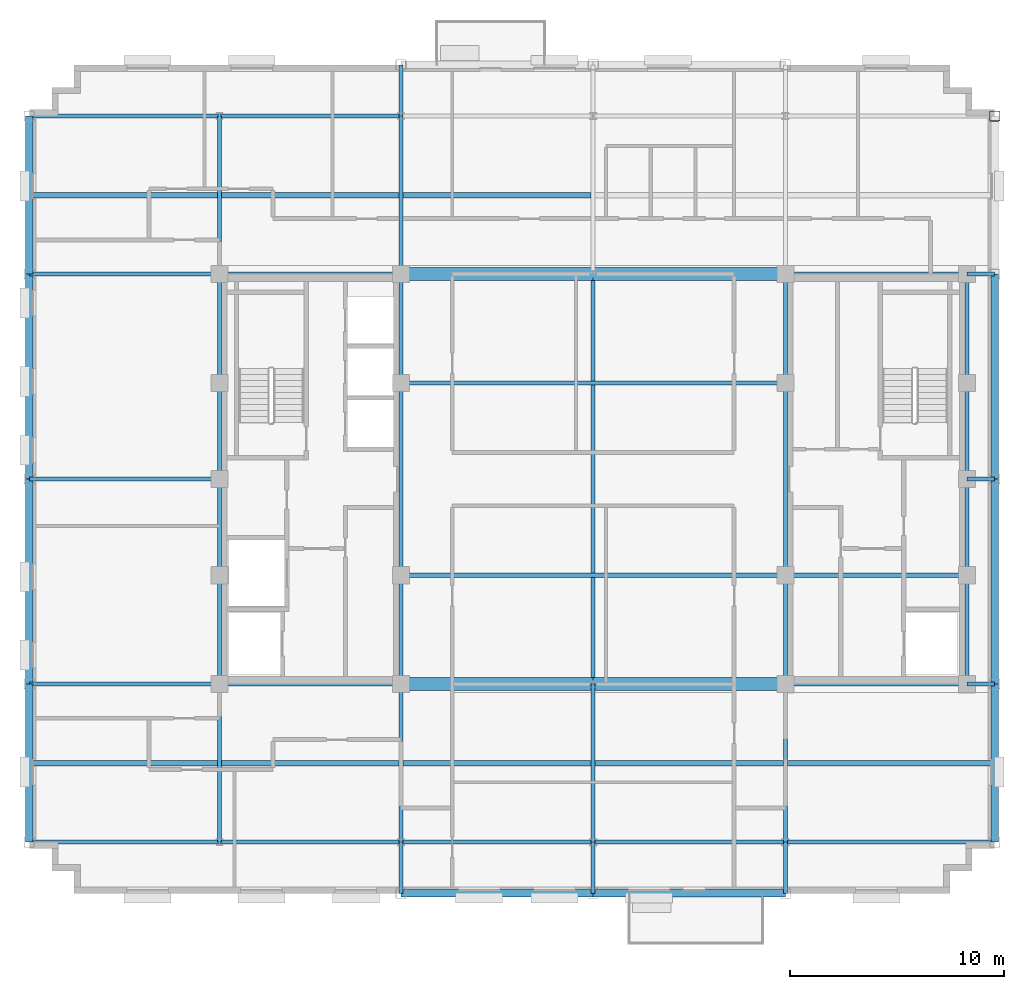
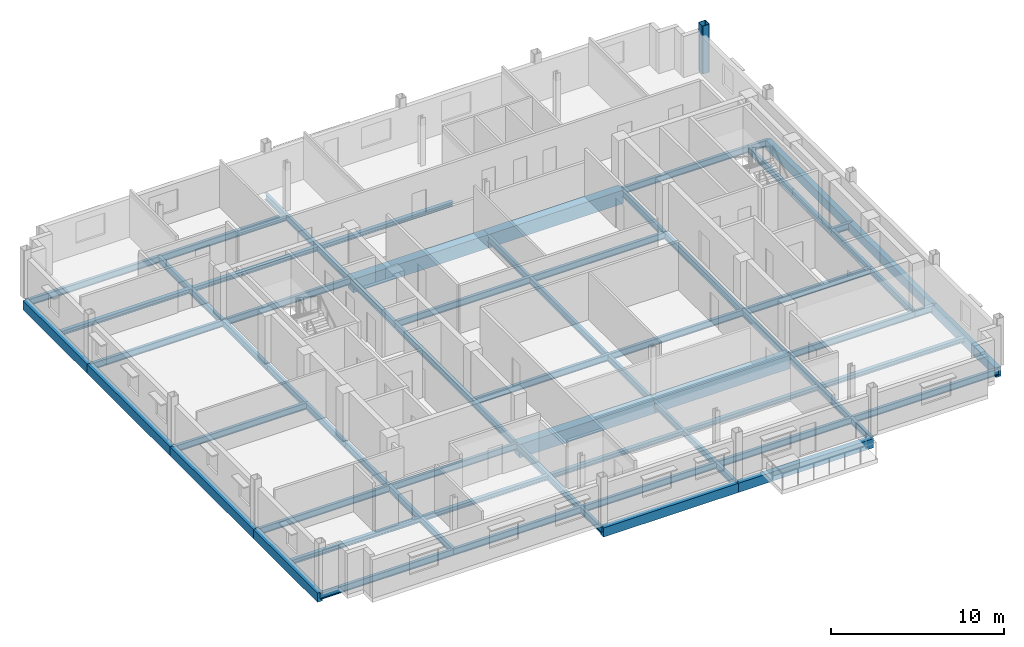
# One storey, part 4 of 13: 66 beams, 1 column.
"""IFC4 building model written with IfcOpenShell, lengths in metres."""

from ifc_helpers import new_model, si_unit, direction, frame, origin, origin_2d, place, context, subcontext, project, spatial, rectangle, hollow_rectangle, i_section, extrude, material, material_profile, profile_set, type_object, element, save


model = new_model("IFC4")

# Units and contexts
model_context = context("Model", 3, precision=1e-05, world=origin(), true_north=direction((0.0, 1.0)))
body_context = subcontext(model_context, "Body", "Model", "MODEL_VIEW")
ifc_project = project(units=[si_unit("LENGTHUNIT", "METRE"), si_unit("AREAUNIT", "SQUARE_METRE"), si_unit("VOLUMEUNIT", "CUBIC_METRE"), si_unit("PLANEANGLEUNIT", "RADIAN"), si_unit("MASSUNIT", "GRAM", prefix="KILO")], contexts=[model_context])

# Site, building, storey
site_placement = place(None, origin())
site = spatial("IfcSite", under=ifc_project, at=site_placement, CompositionType="ELEMENT")
building_placement = place(site_placement, origin())
building = spatial("IfcBuilding", under=site, at=building_placement, Name="Nuvemarco Arch Tower", CompositionType="ELEMENT")
storey_placement = place(building_placement, frame((0.0, 0.0, 234.699951171875)))
storey = spatial("IfcBuildingStorey", under=building, at=storey_placement, Name="L62", CompositionType="ELEMENT", Elevation=234.699951171875)

# Column
ifc_material_1 = material(Name="Steel S355", Category="steel")
ifc_material_profile_1 = material_profile(ifc_material_1, hollow_rectangle(XDim=0.5, YDim=0.5, WallThickness=0.031982421875, InnerFilletRadius=0.031982421875, OuterFilletRadius=0.06396484375, at=origin_2d()), Name="SHS500x500x32")
ifc_profile_set_1 = profile_set([ifc_material_profile_1], Name="Steel S355")
column_type = type_object("IfcColumnType", Name="COL-EXO-500", PredefinedType="COLUMN", material=ifc_profile_set_1)
column_placement = place(storey_placement, frame((18.800048828125, 17.0, 0.0), z_axis=(0.0, 0.0, 1.0), x_axis=(1.0, 0.0, 0.0)))
element("IfcColumn", 1, at=column_placement, inside=storey, type_object=column_type, Name="L62 column CX_+18.8_+17.0", PredefinedType="COLUMN", context=body_context, shape_type="SweptSolid", body=[
    extrude(hollow_rectangle(XDim=0.5, YDim=0.5, WallThickness=0.031982421875, InnerFilletRadius=0.031982421875, OuterFilletRadius=0.06396484375, at=origin_2d()), origin(), (0.0, 0.0, 1.0), 3.3701171875),
])

# Beams
ifc_material_2 = material(Name="Concrete C60/75", Category="concrete")
ifc_material_profile_2 = material_profile(ifc_material_2, rectangle(XDim=0.60009765625, YDim=0.949951171875, at=origin_2d()), Name="RC-BM-600x950")
ifc_profile_set_2 = profile_set([ifc_material_profile_2], Name="Concrete C60/75")
beam_type_1 = type_object("IfcBeamType", Name="BM-COUP-RC", PredefinedType="LINTEL", material=ifc_profile_set_2)
for number, where, z_axis, x_axis, name in (
    (2, (-9.0, -9.60009765625, -0.7548828125), (1.0, 0.0, 0.0), (0.0, 1.0, 0.0), "L62 structural beam BGEW_L62_0_-9.6_-9.0"),
    (3, (0.0, -9.60009765625, -0.7548828125), (1.0, 0.0, 0.0), (0.0, 1.0, 0.0), "L62 structural beam BGEW_L62_0_-9.6_+0.0"),
    (4, (-9.0, 9.60009765625, -0.7548828125), (1.0, 0.0, 0.0), (0.0, 1.0, 0.0), "L62 structural beam BGEW_L62_0_+9.6_-9.0"),
    (5, (0.0, 9.60009765625, -0.7548828125), (1.0, 0.0, 0.0), (0.0, 1.0, 0.0), "L62 structural beam BGEW_L62_0_+9.6_+0.0"),
):
    element("IfcBeam", number, at=place(storey_placement, frame(where, z_axis=z_axis, x_axis=x_axis)), inside=storey, type_object=beam_type_1, Name=name, PredefinedType="LINTEL", context=body_context, shape_type="SweptSolid", body=[
        extrude(rectangle(XDim=0.60009765625, YDim=0.949951171875, at=origin_2d()), origin(), (0.0, 0.0, 1.0), 9.0),
    ])
ifc_material_profile_3 = material_profile(ifc_material_1, i_section(OverallWidth=0.19189453125, OverallDepth=0.462890625, WebThickness=0.010498046875, FlangeThickness=0.017578125, FilletRadius=0.014892578125, at=origin_2d()), Name="W460x89")
ifc_profile_set_3 = profile_set([ifc_material_profile_3], Name="Steel S355")
beam_type_2 = type_object("IfcBeamType", Name="BM-GIRD-460", PredefinedType="BEAM", material=ifc_profile_set_3)
beam_1_placement = place(storey_placement, frame((-17.5, -17.0, -0.511474609375), z_axis=(0.0, 1.0, 0.0), x_axis=(-1.0, 0.0, 0.0)))
element("IfcBeam", 6, at=beam_1_placement, inside=storey, type_object=beam_type_2, Name="L62 structural beam BGNS_L62_0_-17.5_-17.0", PredefinedType="BEAM", context=body_context, shape_type="SweptSolid", body=[
    extrude(i_section(OverallWidth=0.19189453125, OverallDepth=0.462890625, WebThickness=0.010498046875, FlangeThickness=0.017578125, FilletRadius=0.014892578125, at=origin_2d()), origin(), (0.0, 0.0, 1.0), 7.39990234375),
])
beam_2_placement = place(storey_placement, frame((-17.5, -9.60009765625, -0.511474609375), z_axis=(0.0, 1.0, 0.0), x_axis=(-1.0, 0.0, 0.0)))
element("IfcBeam", 7, at=beam_2_placement, inside=storey, type_object=beam_type_2, Name="L62 structural beam BGNS_L62_0_-17.5_-9.6", PredefinedType="BEAM", context=body_context, shape_type="SweptSolid", body=[
    extrude(i_section(OverallWidth=0.19189453125, OverallDepth=0.462890625, WebThickness=0.010498046875, FlangeThickness=0.017578125, FilletRadius=0.014892578125, at=origin_2d()), origin(), (0.0, 0.0, 1.0), 5.10009765625),
])
for number, where, z_axis, x_axis, name in (
    (8, (-17.5, -4.5, -0.511474609375), (0.0, 1.0, 0.0), (-1.0, 0.0, 0.0), "L62 structural beam BGNS_L62_0_-17.5_-4.5"),
    (9, (-17.5, 0.0, -0.511474609375), (0.0, 1.0, 0.0), (-1.0, 0.0, 0.0), "L62 structural beam BGNS_L62_0_-17.5_+0.0"),
):
    element("IfcBeam", number, at=place(storey_placement, frame(where, z_axis=z_axis, x_axis=x_axis)), inside=storey, type_object=beam_type_2, Name=name, PredefinedType="BEAM", context=body_context, shape_type="SweptSolid", body=[
        extrude(i_section(OverallWidth=0.19189453125, OverallDepth=0.462890625, WebThickness=0.010498046875, FlangeThickness=0.017578125, FilletRadius=0.014892578125, at=origin_2d()), origin(), (0.0, 0.0, 1.0), 4.5),
    ])
beam_3_placement = place(storey_placement, frame((-17.5, 4.5, -0.511474609375), z_axis=(0.0, 1.0, 0.0), x_axis=(-1.0, 0.0, 0.0)))
element("IfcBeam", 10, at=beam_3_placement, inside=storey, type_object=beam_type_2, Name="L62 structural beam BGNS_L62_0_-17.5_+4.5", PredefinedType="BEAM", context=body_context, shape_type="SweptSolid", body=[
    extrude(i_section(OverallWidth=0.19189453125, OverallDepth=0.462890625, WebThickness=0.010498046875, FlangeThickness=0.017578125, FilletRadius=0.014892578125, at=origin_2d()), origin(), (0.0, 0.0, 1.0), 5.10009765625),
])
beam_4_placement = place(storey_placement, frame((-17.5, 9.60009765625, -0.511474609375), z_axis=(0.0, 1.0, 0.0), x_axis=(-1.0, 0.0, 0.0)))
element("IfcBeam", 11, at=beam_4_placement, inside=storey, type_object=beam_type_2, Name="L62 structural beam BGNS_L62_0_-17.5_+9.6", PredefinedType="BEAM", context=body_context, shape_type="SweptSolid", body=[
    extrude(i_section(OverallWidth=0.19189453125, OverallDepth=0.462890625, WebThickness=0.010498046875, FlangeThickness=0.017578125, FilletRadius=0.014892578125, at=origin_2d()), origin(), (0.0, 0.0, 1.0), 7.39990234375),
])
beam_5_placement = place(storey_placement, frame((-9.0, -19.39990234375, -0.511474609375), z_axis=(0.0, 1.0, 0.0), x_axis=(-1.0, 0.0, 0.0)))
element("IfcBeam", 12, at=beam_5_placement, inside=storey, type_object=beam_type_2, Name="L62 structural beam BGNS_L62_0_-9.0_-19.4", PredefinedType="BEAM", context=body_context, shape_type="SweptSolid", body=[
    extrude(i_section(OverallWidth=0.19189453125, OverallDepth=0.462890625, WebThickness=0.010498046875, FlangeThickness=0.017578125, FilletRadius=0.014892578125, at=origin_2d()), origin(), (0.0, 0.0, 1.0), 2.39990234375),
])
beam_6_placement = place(storey_placement, frame((-9.0, -17.0, -0.511474609375), z_axis=(0.0, 1.0, 0.0), x_axis=(-1.0, 0.0, 0.0)))
element("IfcBeam", 13, at=beam_6_placement, inside=storey, type_object=beam_type_2, Name="L62 structural beam BGNS_L62_0_-9.0_-17.0", PredefinedType="BEAM", context=body_context, shape_type="SweptSolid", body=[
    extrude(i_section(OverallWidth=0.19189453125, OverallDepth=0.462890625, WebThickness=0.010498046875, FlangeThickness=0.017578125, FilletRadius=0.014892578125, at=origin_2d()), origin(), (0.0, 0.0, 1.0), 7.39990234375),
])
beam_7_placement = place(storey_placement, frame((-9.0, -9.60009765625, -0.511474609375), z_axis=(0.0, 1.0, 0.0), x_axis=(-1.0, 0.0, 0.0)))
element("IfcBeam", 14, at=beam_7_placement, inside=storey, type_object=beam_type_2, Name="L62 structural beam BGNS_L62_0_-9.0_-9.6", PredefinedType="BEAM", context=body_context, shape_type="SweptSolid", body=[
    extrude(i_section(OverallWidth=0.19189453125, OverallDepth=0.462890625, WebThickness=0.010498046875, FlangeThickness=0.017578125, FilletRadius=0.014892578125, at=origin_2d()), origin(), (0.0, 0.0, 1.0), 5.10009765625),
])
beam_8_placement = place(storey_placement, frame((-9.0, -4.5, -0.511474609375), z_axis=(0.0, 1.0, 0.0), x_axis=(-1.0, 0.0, 0.0)))
element("IfcBeam", 15, at=beam_8_placement, inside=storey, type_object=beam_type_2, Name="L62 structural beam BGNS_L62_0_-9.0_-4.5", PredefinedType="BEAM", context=body_context, shape_type="SweptSolid", body=[
    extrude(i_section(OverallWidth=0.19189453125, OverallDepth=0.462890625, WebThickness=0.010498046875, FlangeThickness=0.017578125, FilletRadius=0.014892578125, at=origin_2d()), origin(), (0.0, 0.0, 1.0), 9.0),
])
beam_9_placement = place(storey_placement, frame((-9.0, 4.5, -0.511474609375), z_axis=(0.0, 1.0, 0.0), x_axis=(-1.0, 0.0, 0.0)))
element("IfcBeam", 16, at=beam_9_placement, inside=storey, type_object=beam_type_2, Name="L62 structural beam BGNS_L62_0_-9.0_+4.5", PredefinedType="BEAM", context=body_context, shape_type="SweptSolid", body=[
    extrude(i_section(OverallWidth=0.19189453125, OverallDepth=0.462890625, WebThickness=0.010498046875, FlangeThickness=0.017578125, FilletRadius=0.014892578125, at=origin_2d()), origin(), (0.0, 0.0, 1.0), 5.10009765625),
])
beam_10_placement = place(storey_placement, frame((-9.0, 9.60009765625, -0.511474609375), z_axis=(0.0, 1.0, 0.0), x_axis=(-1.0, 0.0, 0.0)))
element("IfcBeam", 17, at=beam_10_placement, inside=storey, type_object=beam_type_2, Name="L62 structural beam BGNS_L62_0_-9.0_+9.6", PredefinedType="BEAM", context=body_context, shape_type="SweptSolid", body=[
    extrude(i_section(OverallWidth=0.19189453125, OverallDepth=0.462890625, WebThickness=0.010498046875, FlangeThickness=0.017578125, FilletRadius=0.014892578125, at=origin_2d()), origin(), (0.0, 0.0, 1.0), 7.39990234375),
])
for number, where, z_axis, x_axis, name in (
    (18, (-9.0, 17.0, -0.511474609375), (0.0, 1.0, 0.0), (-1.0, 0.0, 0.0), "L62 structural beam BGNS_L62_0_-9.0_+17.0"),
    (19, (0.0, -19.39990234375, -0.511474609375), (0.0, 1.0, 0.0), (-1.0, 0.0, 0.0), "L62 structural beam BGNS_L62_0_+0.0_-19.4"),
):
    element("IfcBeam", number, at=place(storey_placement, frame(where, z_axis=z_axis, x_axis=x_axis)), inside=storey, type_object=beam_type_2, Name=name, PredefinedType="BEAM", context=body_context, shape_type="SweptSolid", body=[
        extrude(i_section(OverallWidth=0.19189453125, OverallDepth=0.462890625, WebThickness=0.010498046875, FlangeThickness=0.017578125, FilletRadius=0.014892578125, at=origin_2d()), origin(), (0.0, 0.0, 1.0), 2.39990234375),
    ])
beam_11_placement = place(storey_placement, frame((0.0, -17.0, -0.511474609375), z_axis=(0.0, 1.0, 0.0), x_axis=(-1.0, 0.0, 0.0)))
element("IfcBeam", 20, at=beam_11_placement, inside=storey, type_object=beam_type_2, Name="L62 structural beam BGNS_L62_0_+0.0_-17.0", PredefinedType="BEAM", context=body_context, shape_type="SweptSolid", body=[
    extrude(i_section(OverallWidth=0.19189453125, OverallDepth=0.462890625, WebThickness=0.010498046875, FlangeThickness=0.017578125, FilletRadius=0.014892578125, at=origin_2d()), origin(), (0.0, 0.0, 1.0), 7.39990234375),
])
beam_12_placement = place(storey_placement, frame((0.0, -9.60009765625, -0.511474609375), z_axis=(0.0, 1.0, 0.0), x_axis=(-1.0, 0.0, 0.0)))
element("IfcBeam", 21, at=beam_12_placement, inside=storey, type_object=beam_type_2, Name="L62 structural beam BGNS_L62_0_+0.0_-9.6", PredefinedType="BEAM", context=body_context, shape_type="SweptSolid", body=[
    extrude(i_section(OverallWidth=0.19189453125, OverallDepth=0.462890625, WebThickness=0.010498046875, FlangeThickness=0.017578125, FilletRadius=0.014892578125, at=origin_2d()), origin(), (0.0, 0.0, 1.0), 19.2001953125),
])
beam_13_placement = place(storey_placement, frame((9.0, -19.39990234375, -0.511474609375), z_axis=(0.0, 1.0, 0.0), x_axis=(-1.0, 0.0, 0.0)))
element("IfcBeam", 22, at=beam_13_placement, inside=storey, type_object=beam_type_2, Name="L62 structural beam BGNS_L62_0_+9.0_-19.4", PredefinedType="BEAM", context=body_context, shape_type="SweptSolid", body=[
    extrude(i_section(OverallWidth=0.19189453125, OverallDepth=0.462890625, WebThickness=0.010498046875, FlangeThickness=0.017578125, FilletRadius=0.014892578125, at=origin_2d()), origin(), (0.0, 0.0, 1.0), 2.39990234375),
])
beam_14_placement = place(storey_placement, frame((9.0, -17.0, -0.511474609375), z_axis=(0.0, 1.0, 0.0), x_axis=(-1.0, 0.0, 0.0)))
element("IfcBeam", 23, at=beam_14_placement, inside=storey, type_object=beam_type_2, Name="L62 structural beam BGNS_L62_0_+9.0_-17.0", PredefinedType="BEAM", context=body_context, shape_type="SweptSolid", body=[
    extrude(i_section(OverallWidth=0.19189453125, OverallDepth=0.462890625, WebThickness=0.010498046875, FlangeThickness=0.017578125, FilletRadius=0.014892578125, at=origin_2d()), origin(), (0.0, 0.0, 1.0), 7.39990234375),
])
beam_15_placement = place(storey_placement, frame((9.0, -9.60009765625, -0.511474609375), z_axis=(0.0, 1.0, 0.0), x_axis=(-1.0, 0.0, 0.0)))
element("IfcBeam", 24, at=beam_15_placement, inside=storey, type_object=beam_type_2, Name="L62 structural beam BGNS_L62_0_+9.0_-9.6", PredefinedType="BEAM", context=body_context, shape_type="SweptSolid", body=[
    extrude(i_section(OverallWidth=0.19189453125, OverallDepth=0.462890625, WebThickness=0.010498046875, FlangeThickness=0.017578125, FilletRadius=0.014892578125, at=origin_2d()), origin(), (0.0, 0.0, 1.0), 5.10009765625),
])
beam_16_placement = place(storey_placement, frame((9.0, -4.5, -0.511474609375), z_axis=(0.0, 1.0, 0.0), x_axis=(-1.0, 0.0, 0.0)))
element("IfcBeam", 25, at=beam_16_placement, inside=storey, type_object=beam_type_2, Name="L62 structural beam BGNS_L62_0_+9.0_-4.5", PredefinedType="BEAM", context=body_context, shape_type="SweptSolid", body=[
    extrude(i_section(OverallWidth=0.19189453125, OverallDepth=0.462890625, WebThickness=0.010498046875, FlangeThickness=0.017578125, FilletRadius=0.014892578125, at=origin_2d()), origin(), (0.0, 0.0, 1.0), 9.0),
])
for number, where, z_axis, x_axis, name in (
    (26, (9.0, 4.5, -0.511474609375), (0.0, 1.0, 0.0), (-1.0, 0.0, 0.0), "L62 structural beam BGNS_L62_0_+9.0_+4.5"),
    (27, (17.5, -9.60009765625, -0.511474609375), (0.0, 1.0, 0.0), (-1.0, 0.0, 0.0), "L62 structural beam BGNS_L62_0_+17.5_-9.6"),
):
    element("IfcBeam", number, at=place(storey_placement, frame(where, z_axis=z_axis, x_axis=x_axis)), inside=storey, type_object=beam_type_2, Name=name, PredefinedType="BEAM", context=body_context, shape_type="SweptSolid", body=[
        extrude(i_section(OverallWidth=0.19189453125, OverallDepth=0.462890625, WebThickness=0.010498046875, FlangeThickness=0.017578125, FilletRadius=0.014892578125, at=origin_2d()), origin(), (0.0, 0.0, 1.0), 5.10009765625),
    ])
for number, where, z_axis, x_axis, name in (
    (28, (17.5, -4.5, -0.511474609375), (0.0, 1.0, 0.0), (-1.0, 0.0, 0.0), "L62 structural beam BGNS_L62_0_+17.5_-4.5"),
    (29, (17.5, 0.0, -0.511474609375), (0.0, 1.0, 0.0), (-1.0, 0.0, 0.0), "L62 structural beam BGNS_L62_0_+17.5_+0.0"),
):
    element("IfcBeam", number, at=place(storey_placement, frame(where, z_axis=z_axis, x_axis=x_axis)), inside=storey, type_object=beam_type_2, Name=name, PredefinedType="BEAM", context=body_context, shape_type="SweptSolid", body=[
        extrude(i_section(OverallWidth=0.19189453125, OverallDepth=0.462890625, WebThickness=0.010498046875, FlangeThickness=0.017578125, FilletRadius=0.014892578125, at=origin_2d()), origin(), (0.0, 0.0, 1.0), 4.5),
    ])
beam_17_placement = place(storey_placement, frame((17.5, 4.5, -0.511474609375), z_axis=(0.0, 1.0, 0.0), x_axis=(-1.0, 0.0, 0.0)))
element("IfcBeam", 30, at=beam_17_placement, inside=storey, type_object=beam_type_2, Name="L62 structural beam BGNS_L62_0_+17.5_+4.5", PredefinedType="BEAM", context=body_context, shape_type="SweptSolid", body=[
    extrude(i_section(OverallWidth=0.19189453125, OverallDepth=0.462890625, WebThickness=0.010498046875, FlangeThickness=0.017578125, FilletRadius=0.014892578125, at=origin_2d()), origin(), (0.0, 0.0, 1.0), 5.10009765625),
])
beam_18_placement = place(storey_placement, frame((-26.39990234375, -17.0, -0.511474609375), z_axis=(1.0, 0.0, 0.0), x_axis=(0.0, 1.0, 0.0)))
element("IfcBeam", 31, at=beam_18_placement, inside=storey, type_object=beam_type_2, Name="L62 structural beam BGEW_L62_0_-17.0_-26.4", PredefinedType="BEAM", context=body_context, shape_type="SweptSolid", body=[
    extrude(i_section(OverallWidth=0.19189453125, OverallDepth=0.462890625, WebThickness=0.010498046875, FlangeThickness=0.017578125, FilletRadius=0.014892578125, at=origin_2d()), origin(), (0.0, 0.0, 1.0), 8.89990234375),
])
beam_19_placement = place(storey_placement, frame((-17.5, -17.0, -0.511474609375), z_axis=(1.0, 0.0, 0.0), x_axis=(0.0, 1.0, 0.0)))
element("IfcBeam", 32, at=beam_19_placement, inside=storey, type_object=beam_type_2, Name="L62 structural beam BGEW_L62_0_-17.0_-17.5", PredefinedType="BEAM", context=body_context, shape_type="SweptSolid", body=[
    extrude(i_section(OverallWidth=0.19189453125, OverallDepth=0.462890625, WebThickness=0.010498046875, FlangeThickness=0.017578125, FilletRadius=0.014892578125, at=origin_2d()), origin(), (0.0, 0.0, 1.0), 8.5),
])
for number, where, z_axis, x_axis, name in (
    (33, (-9.0, -17.0, -0.511474609375), (1.0, 0.0, 0.0), (0.0, 1.0, 0.0), "L62 structural beam BGEW_L62_0_-17.0_-9.0"),
    (34, (0.0, -17.0, -0.511474609375), (1.0, 0.0, 0.0), (0.0, 1.0, 0.0), "L62 structural beam BGEW_L62_0_-17.0_+0.0"),
):
    element("IfcBeam", number, at=place(storey_placement, frame(where, z_axis=z_axis, x_axis=x_axis)), inside=storey, type_object=beam_type_2, Name=name, PredefinedType="BEAM", context=body_context, shape_type="SweptSolid", body=[
        extrude(i_section(OverallWidth=0.19189453125, OverallDepth=0.462890625, WebThickness=0.010498046875, FlangeThickness=0.017578125, FilletRadius=0.014892578125, at=origin_2d()), origin(), (0.0, 0.0, 1.0), 9.0),
    ])
beam_20_placement = place(storey_placement, frame((9.0, -17.0, -0.511474609375), z_axis=(1.0, 0.0, 0.0), x_axis=(0.0, 1.0, 0.0)))
element("IfcBeam", 35, at=beam_20_placement, inside=storey, type_object=beam_type_2, Name="L62 structural beam BGEW_L62_0_-17.0_+9.0", PredefinedType="BEAM", context=body_context, shape_type="SweptSolid", body=[
    extrude(i_section(OverallWidth=0.19189453125, OverallDepth=0.462890625, WebThickness=0.010498046875, FlangeThickness=0.017578125, FilletRadius=0.014892578125, at=origin_2d()), origin(), (0.0, 0.0, 1.0), 9.800048828125),
])
beam_21_placement = place(storey_placement, frame((-26.39990234375, -9.60009765625, -0.511474609375), z_axis=(1.0, 0.0, 0.0), x_axis=(0.0, 1.0, 0.0)))
element("IfcBeam", 36, at=beam_21_placement, inside=storey, type_object=beam_type_2, Name="L62 structural beam BGEW_L62_0_-9.6_-26.4", PredefinedType="BEAM", context=body_context, shape_type="SweptSolid", body=[
    extrude(i_section(OverallWidth=0.19189453125, OverallDepth=0.462890625, WebThickness=0.010498046875, FlangeThickness=0.017578125, FilletRadius=0.014892578125, at=origin_2d()), origin(), (0.0, 0.0, 1.0), 8.89990234375),
])
for number, where, z_axis, x_axis, name in (
    (37, (-17.5, -9.60009765625, -0.511474609375), (1.0, 0.0, 0.0), (0.0, 1.0, 0.0), "L62 structural beam BGEW_L62_0_-9.6_-17.5"),
    (38, (9.0, -9.60009765625, -0.511474609375), (1.0, 0.0, 0.0), (0.0, 1.0, 0.0), "L62 structural beam BGEW_L62_0_-9.6_+9.0"),
):
    element("IfcBeam", number, at=place(storey_placement, frame(where, z_axis=z_axis, x_axis=x_axis)), inside=storey, type_object=beam_type_2, Name=name, PredefinedType="BEAM", context=body_context, shape_type="SweptSolid", body=[
        extrude(i_section(OverallWidth=0.19189453125, OverallDepth=0.462890625, WebThickness=0.010498046875, FlangeThickness=0.017578125, FilletRadius=0.014892578125, at=origin_2d()), origin(), (0.0, 0.0, 1.0), 8.5),
    ])
beam_22_placement = place(storey_placement, frame((17.5, -9.60009765625, -0.511474609375), z_axis=(1.0, 0.0, 0.0), x_axis=(0.0, 1.0, 0.0)))
element("IfcBeam", 39, at=beam_22_placement, inside=storey, type_object=beam_type_2, Name="L62 structural beam BGEW_L62_0_-9.6_+17.5", PredefinedType="BEAM", context=body_context, shape_type="SweptSolid", body=[
    extrude(i_section(OverallWidth=0.19189453125, OverallDepth=0.462890625, WebThickness=0.010498046875, FlangeThickness=0.017578125, FilletRadius=0.014892578125, at=origin_2d()), origin(), (0.0, 0.0, 1.0), 1.300048828125),
])
beam_23_placement = place(storey_placement, frame((-9.0, -4.5, -0.511474609375), z_axis=(1.0, 0.0, 0.0), x_axis=(0.0, 1.0, 0.0)))
element("IfcBeam", 40, at=beam_23_placement, inside=storey, type_object=beam_type_2, Name="L62 structural beam BGEW_L62_0_-4.5_-9.0", PredefinedType="BEAM", context=body_context, shape_type="SweptSolid", body=[
    extrude(i_section(OverallWidth=0.19189453125, OverallDepth=0.462890625, WebThickness=0.010498046875, FlangeThickness=0.017578125, FilletRadius=0.014892578125, at=origin_2d()), origin(), (0.0, 0.0, 1.0), 18.0),
])
beam_24_placement = place(storey_placement, frame((9.0, -4.5, -0.511474609375), z_axis=(1.0, 0.0, 0.0), x_axis=(0.0, 1.0, 0.0)))
element("IfcBeam", 41, at=beam_24_placement, inside=storey, type_object=beam_type_2, Name="L62 structural beam BGEW_L62_0_-4.5_+9.0", PredefinedType="BEAM", context=body_context, shape_type="SweptSolid", body=[
    extrude(i_section(OverallWidth=0.19189453125, OverallDepth=0.462890625, WebThickness=0.010498046875, FlangeThickness=0.017578125, FilletRadius=0.014892578125, at=origin_2d()), origin(), (0.0, 0.0, 1.0), 8.5),
])
beam_25_placement = place(storey_placement, frame((-26.39990234375, 0.0, -0.511474609375), z_axis=(1.0, 0.0, 0.0), x_axis=(0.0, 1.0, 0.0)))
element("IfcBeam", 42, at=beam_25_placement, inside=storey, type_object=beam_type_2, Name="L62 structural beam BGEW_L62_0_+0.0_-26.4", PredefinedType="BEAM", context=body_context, shape_type="SweptSolid", body=[
    extrude(i_section(OverallWidth=0.19189453125, OverallDepth=0.462890625, WebThickness=0.010498046875, FlangeThickness=0.017578125, FilletRadius=0.014892578125, at=origin_2d()), origin(), (0.0, 0.0, 1.0), 8.89990234375),
])
beam_26_placement = place(storey_placement, frame((17.5, 0.0, -0.511474609375), z_axis=(1.0, 0.0, 0.0), x_axis=(0.0, 1.0, 0.0)))
element("IfcBeam", 43, at=beam_26_placement, inside=storey, type_object=beam_type_2, Name="L62 structural beam BGEW_L62_0_+0.0_+17.5", PredefinedType="BEAM", context=body_context, shape_type="SweptSolid", body=[
    extrude(i_section(OverallWidth=0.19189453125, OverallDepth=0.462890625, WebThickness=0.010498046875, FlangeThickness=0.017578125, FilletRadius=0.014892578125, at=origin_2d()), origin(), (0.0, 0.0, 1.0), 1.300048828125),
])
beam_27_placement = place(storey_placement, frame((-9.0, 4.5, -0.511474609375), z_axis=(1.0, 0.0, 0.0), x_axis=(0.0, 1.0, 0.0)))
element("IfcBeam", 44, at=beam_27_placement, inside=storey, type_object=beam_type_2, Name="L62 structural beam BGEW_L62_0_+4.5_-9.0", PredefinedType="BEAM", context=body_context, shape_type="SweptSolid", body=[
    extrude(i_section(OverallWidth=0.19189453125, OverallDepth=0.462890625, WebThickness=0.010498046875, FlangeThickness=0.017578125, FilletRadius=0.014892578125, at=origin_2d()), origin(), (0.0, 0.0, 1.0), 18.0),
])
beam_28_placement = place(storey_placement, frame((-26.39990234375, 9.60009765625, -0.511474609375), z_axis=(1.0, 0.0, 0.0), x_axis=(0.0, 1.0, 0.0)))
element("IfcBeam", 45, at=beam_28_placement, inside=storey, type_object=beam_type_2, Name="L62 structural beam BGEW_L62_0_+9.6_-26.4", PredefinedType="BEAM", context=body_context, shape_type="SweptSolid", body=[
    extrude(i_section(OverallWidth=0.19189453125, OverallDepth=0.462890625, WebThickness=0.010498046875, FlangeThickness=0.017578125, FilletRadius=0.014892578125, at=origin_2d()), origin(), (0.0, 0.0, 1.0), 8.89990234375),
])
for number, where, z_axis, x_axis, name in (
    (46, (-17.5, 9.60009765625, -0.511474609375), (1.0, 0.0, 0.0), (0.0, 1.0, 0.0), "L62 structural beam BGEW_L62_0_+9.6_-17.5"),
    (47, (9.0, 9.60009765625, -0.511474609375), (1.0, 0.0, 0.0), (0.0, 1.0, 0.0), "L62 structural beam BGEW_L62_0_+9.6_+9.0"),
):
    element("IfcBeam", number, at=place(storey_placement, frame(where, z_axis=z_axis, x_axis=x_axis)), inside=storey, type_object=beam_type_2, Name=name, PredefinedType="BEAM", context=body_context, shape_type="SweptSolid", body=[
        extrude(i_section(OverallWidth=0.19189453125, OverallDepth=0.462890625, WebThickness=0.010498046875, FlangeThickness=0.017578125, FilletRadius=0.014892578125, at=origin_2d()), origin(), (0.0, 0.0, 1.0), 8.5),
    ])
beam_29_placement = place(storey_placement, frame((17.5, 9.60009765625, -0.511474609375), z_axis=(1.0, 0.0, 0.0), x_axis=(0.0, 1.0, 0.0)))
element("IfcBeam", 48, at=beam_29_placement, inside=storey, type_object=beam_type_2, Name="L62 structural beam BGEW_L62_0_+9.6_+17.5", PredefinedType="BEAM", context=body_context, shape_type="SweptSolid", body=[
    extrude(i_section(OverallWidth=0.19189453125, OverallDepth=0.462890625, WebThickness=0.010498046875, FlangeThickness=0.017578125, FilletRadius=0.014892578125, at=origin_2d()), origin(), (0.0, 0.0, 1.0), 1.300048828125),
])
beam_30_placement = place(storey_placement, frame((-26.39990234375, 17.0, -0.511474609375), z_axis=(1.0, 0.0, 0.0), x_axis=(0.0, 1.0, 0.0)))
element("IfcBeam", 49, at=beam_30_placement, inside=storey, type_object=beam_type_2, Name="L62 structural beam BGEW_L62_0_+17.0_-26.4", PredefinedType="BEAM", context=body_context, shape_type="SweptSolid", body=[
    extrude(i_section(OverallWidth=0.19189453125, OverallDepth=0.462890625, WebThickness=0.010498046875, FlangeThickness=0.017578125, FilletRadius=0.014892578125, at=origin_2d()), origin(), (0.0, 0.0, 1.0), 8.89990234375),
])
beam_31_placement = place(storey_placement, frame((-17.5, 17.0, -0.511474609375), z_axis=(1.0, 0.0, 0.0), x_axis=(0.0, 1.0, 0.0)))
element("IfcBeam", 50, at=beam_31_placement, inside=storey, type_object=beam_type_2, Name="L62 structural beam BGEW_L62_0_+17.0_-17.5", PredefinedType="BEAM", context=body_context, shape_type="SweptSolid", body=[
    extrude(i_section(OverallWidth=0.19189453125, OverallDepth=0.462890625, WebThickness=0.010498046875, FlangeThickness=0.017578125, FilletRadius=0.014892578125, at=origin_2d()), origin(), (0.0, 0.0, 1.0), 8.5),
])
ifc_material_profile_4 = material_profile(ifc_material_1, i_section(OverallWidth=0.25390625, OverallDepth=0.305908203125, WebThickness=0.0087890625, FlangeThickness=0.0146484375, FilletRadius=0.014892578125, at=origin_2d()), Name="W310x79")
ifc_profile_set_4 = profile_set([ifc_material_profile_4], Name="Steel S355")
beam_type_3 = type_object("IfcBeamType", Name="BM-JOIST-310H", PredefinedType="JOIST", material=ifc_profile_set_4)
beam_32_placement = place(storey_placement, frame((-26.22509765625, -13.300048828125, -0.432861328125), z_axis=(1.0, 0.0, 0.0), x_axis=(0.0, 1.0, 0.0)))
element("IfcBeam", 51, at=beam_32_placement, inside=storey, type_object=beam_type_3, Name="L62 structural beam BJ_L62_0_-13.3_-26.4", PredefinedType="JOIST", context=body_context, shape_type="SweptSolid", body=[
    extrude(i_section(OverallWidth=0.25390625, OverallDepth=0.305908203125, WebThickness=0.0087890625, FlangeThickness=0.0146484375, FilletRadius=0.014892578125, at=origin_2d()), origin(), (0.0, 0.0, 1.0), 8.629150390625),
])
beam_33_placement = place(storey_placement, frame((-17.404052734375, -13.300048828125, -0.432861328125), z_axis=(1.0, 0.0, 0.0), x_axis=(0.0, 1.0, 0.0)))
element("IfcBeam", 52, at=beam_33_placement, inside=storey, type_object=beam_type_3, Name="L62 structural beam BJ_L62_0_-13.3_-17.5", PredefinedType="JOIST", context=body_context, shape_type="SweptSolid", body=[
    extrude(i_section(OverallWidth=0.25390625, OverallDepth=0.305908203125, WebThickness=0.0087890625, FlangeThickness=0.0146484375, FilletRadius=0.014892578125, at=origin_2d()), origin(), (0.0, 0.0, 1.0), 8.30810546875),
])
for number, where, z_axis, x_axis, name in (
    (53, (-8.904052734375, -13.300048828125, -0.432861328125), (1.0, 0.0, 0.0), (0.0, 1.0, 0.0), "L62 structural beam BJ_L62_0_-13.3_-9.0"),
    (54, (0.095947265625, -13.300048828125, -0.432861328125), (1.0, 0.0, 0.0), (0.0, 1.0, 0.0), "L62 structural beam BJ_L62_0_-13.3_+0.0"),
):
    element("IfcBeam", number, at=place(storey_placement, frame(where, z_axis=z_axis, x_axis=x_axis)), inside=storey, type_object=beam_type_3, Name=name, PredefinedType="JOIST", context=body_context, shape_type="SweptSolid", body=[
        extrude(i_section(OverallWidth=0.25390625, OverallDepth=0.305908203125, WebThickness=0.0087890625, FlangeThickness=0.0146484375, FilletRadius=0.014892578125, at=origin_2d()), origin(), (0.0, 0.0, 1.0), 8.80810546875),
    ])
beam_34_placement = place(storey_placement, frame((9.095947265625, -13.300048828125, -0.432861328125), z_axis=(1.0, 0.0, 0.0), x_axis=(0.0, 1.0, 0.0)))
element("IfcBeam", 55, at=beam_34_placement, inside=storey, type_object=beam_type_3, Name="L62 structural beam BJ_L62_0_-13.3_+9.0", PredefinedType="JOIST", context=body_context, shape_type="SweptSolid", body=[
    extrude(i_section(OverallWidth=0.25390625, OverallDepth=0.305908203125, WebThickness=0.0087890625, FlangeThickness=0.0146484375, FilletRadius=0.014892578125, at=origin_2d()), origin(), (0.0, 0.0, 1.0), 9.529052734375),
])
beam_35_placement = place(storey_placement, frame((-26.22509765625, 13.300048828125, -0.432861328125), z_axis=(1.0, 0.0, 0.0), x_axis=(0.0, 1.0, 0.0)))
element("IfcBeam", 56, at=beam_35_placement, inside=storey, type_object=beam_type_3, Name="L62 structural beam BJ_L62_0_+13.3_-26.4", PredefinedType="JOIST", context=body_context, shape_type="SweptSolid", body=[
    extrude(i_section(OverallWidth=0.25390625, OverallDepth=0.305908203125, WebThickness=0.0087890625, FlangeThickness=0.0146484375, FilletRadius=0.014892578125, at=origin_2d()), origin(), (0.0, 0.0, 1.0), 8.629150390625),
])
beam_36_placement = place(storey_placement, frame((-17.404052734375, 13.300048828125, -0.432861328125), z_axis=(1.0, 0.0, 0.0), x_axis=(0.0, 1.0, 0.0)))
element("IfcBeam", 57, at=beam_36_placement, inside=storey, type_object=beam_type_3, Name="L62 structural beam BJ_L62_0_+13.3_-17.5", PredefinedType="JOIST", context=body_context, shape_type="SweptSolid", body=[
    extrude(i_section(OverallWidth=0.25390625, OverallDepth=0.305908203125, WebThickness=0.0087890625, FlangeThickness=0.0146484375, FilletRadius=0.014892578125, at=origin_2d()), origin(), (0.0, 0.0, 1.0), 8.30810546875),
])
beam_37_placement = place(storey_placement, frame((-8.904052734375, 13.300048828125, -0.432861328125), z_axis=(1.0, 0.0, 0.0), x_axis=(0.0, 1.0, 0.0)))
element("IfcBeam", 58, at=beam_37_placement, inside=storey, type_object=beam_type_3, Name="L62 structural beam BJ_L62_0_+13.3_-9.0", PredefinedType="JOIST", context=body_context, shape_type="SweptSolid", body=[
    extrude(i_section(OverallWidth=0.25390625, OverallDepth=0.305908203125, WebThickness=0.0087890625, FlangeThickness=0.0146484375, FilletRadius=0.014892578125, at=origin_2d()), origin(), (0.0, 0.0, 1.0), 8.80810546875),
])
ifc_material_3 = material(Name="Precast concrete C45/55", Category="concrete")
ifc_material_profile_5 = material_profile(ifc_material_3, rectangle(XDim=0.35009765625, YDim=0.64990234375, at=origin_2d()), Name="PC-SP-350x650")
ifc_profile_set_5 = profile_set([ifc_material_profile_5], Name="Precast concrete C45/55")
beam_type_4 = type_object("IfcBeamType", Name="BM-SPAN-RC", PredefinedType="SPANDREL", material=ifc_profile_set_5)
beam_38_placement = place(storey_placement, frame((-26.39990234375, -17.0, -0.60498046875), z_axis=(0.0, 1.0, 0.0), x_axis=(-1.0, 0.0, 0.0)))
element("IfcBeam", 59, at=beam_38_placement, inside=storey, type_object=beam_type_4, Name="L62 structural beam BGNS_L62_0_-26.4_-17.0", PredefinedType="SPANDREL", context=body_context, shape_type="SweptSolid", body=[
    extrude(rectangle(XDim=0.35009765625, YDim=0.64990234375, at=origin_2d()), origin(), (0.0, 0.0, 1.0), 7.39990234375),
])
for number, where, z_axis, x_axis, name in (
    (60, (-26.39990234375, -9.60009765625, -0.60498046875), (0.0, 1.0, 0.0), (-1.0, 0.0, 0.0), "L62 structural beam BGNS_L62_0_-26.4_-9.6"),
    (61, (-26.39990234375, 0.0, -0.60498046875), (0.0, 1.0, 0.0), (-1.0, 0.0, 0.0), "L62 structural beam BGNS_L62_0_-26.4_+0.0"),
):
    element("IfcBeam", number, at=place(storey_placement, frame(where, z_axis=z_axis, x_axis=x_axis)), inside=storey, type_object=beam_type_4, Name=name, PredefinedType="SPANDREL", context=body_context, shape_type="SweptSolid", body=[
        extrude(rectangle(XDim=0.35009765625, YDim=0.64990234375, at=origin_2d()), origin(), (0.0, 0.0, 1.0), 9.60009765625),
    ])
for number, where, z_axis, x_axis, name in (
    (62, (-26.39990234375, 9.60009765625, -0.60498046875), (0.0, 1.0, 0.0), (-1.0, 0.0, 0.0), "L62 structural beam BGNS_L62_0_-26.4_+9.6"),
    (63, (18.800048828125, -17.0, -0.60498046875), (0.0, 1.0, 0.0), (-1.0, 0.0, 0.0), "L62 structural beam BGNS_L62_0_+18.8_-17.0"),
):
    element("IfcBeam", number, at=place(storey_placement, frame(where, z_axis=z_axis, x_axis=x_axis)), inside=storey, type_object=beam_type_4, Name=name, PredefinedType="SPANDREL", context=body_context, shape_type="SweptSolid", body=[
        extrude(rectangle(XDim=0.35009765625, YDim=0.64990234375, at=origin_2d()), origin(), (0.0, 0.0, 1.0), 7.39990234375),
    ])
for number, where, z_axis, x_axis, name in (
    (64, (18.800048828125, -9.60009765625, -0.60498046875), (0.0, 1.0, 0.0), (-1.0, 0.0, 0.0), "L62 structural beam BGNS_L62_0_+18.8_-9.6"),
    (65, (18.800048828125, 0.0, -0.60498046875), (0.0, 1.0, 0.0), (-1.0, 0.0, 0.0), "L62 structural beam BGNS_L62_0_+18.8_+0.0"),
):
    element("IfcBeam", number, at=place(storey_placement, frame(where, z_axis=z_axis, x_axis=x_axis)), inside=storey, type_object=beam_type_4, Name=name, PredefinedType="SPANDREL", context=body_context, shape_type="SweptSolid", body=[
        extrude(rectangle(XDim=0.35009765625, YDim=0.64990234375, at=origin_2d()), origin(), (0.0, 0.0, 1.0), 9.60009765625),
    ])
for number, where, z_axis, x_axis, name in (
    (66, (-9.0, -19.39990234375, -0.60498046875), (1.0, 0.0, 0.0), (0.0, 1.0, 0.0), "L62 structural beam BGEW_L62_0_-19.4_-9.0"),
    (67, (0.0, -19.39990234375, -0.60498046875), (1.0, 0.0, 0.0), (0.0, 1.0, 0.0), "L62 structural beam BGEW_L62_0_-19.4_+0.0"),
):
    element("IfcBeam", number, at=place(storey_placement, frame(where, z_axis=z_axis, x_axis=x_axis)), inside=storey, type_object=beam_type_4, Name=name, PredefinedType="SPANDREL", context=body_context, shape_type="SweptSolid", body=[
        extrude(rectangle(XDim=0.35009765625, YDim=0.64990234375, at=origin_2d()), origin(), (0.0, 0.0, 1.0), 9.0),
    ])

save(model, "model.ifc")
